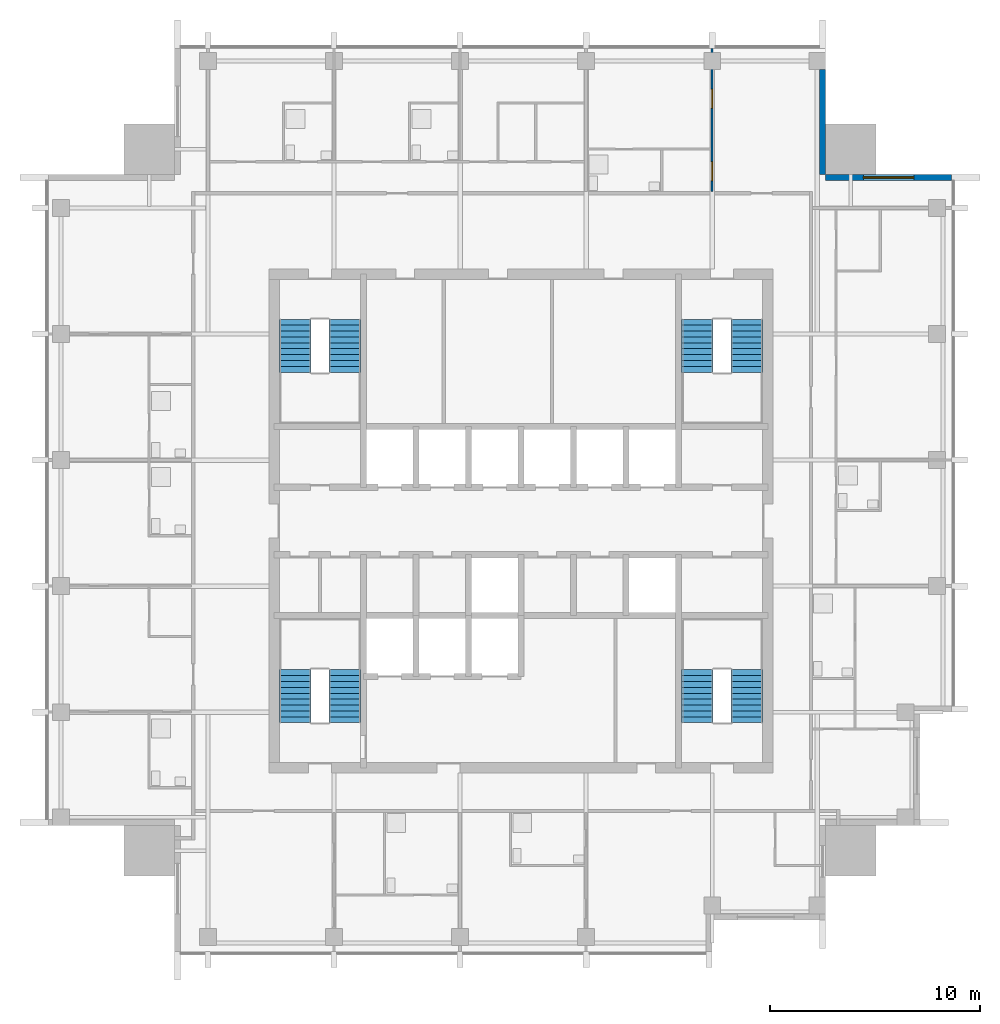
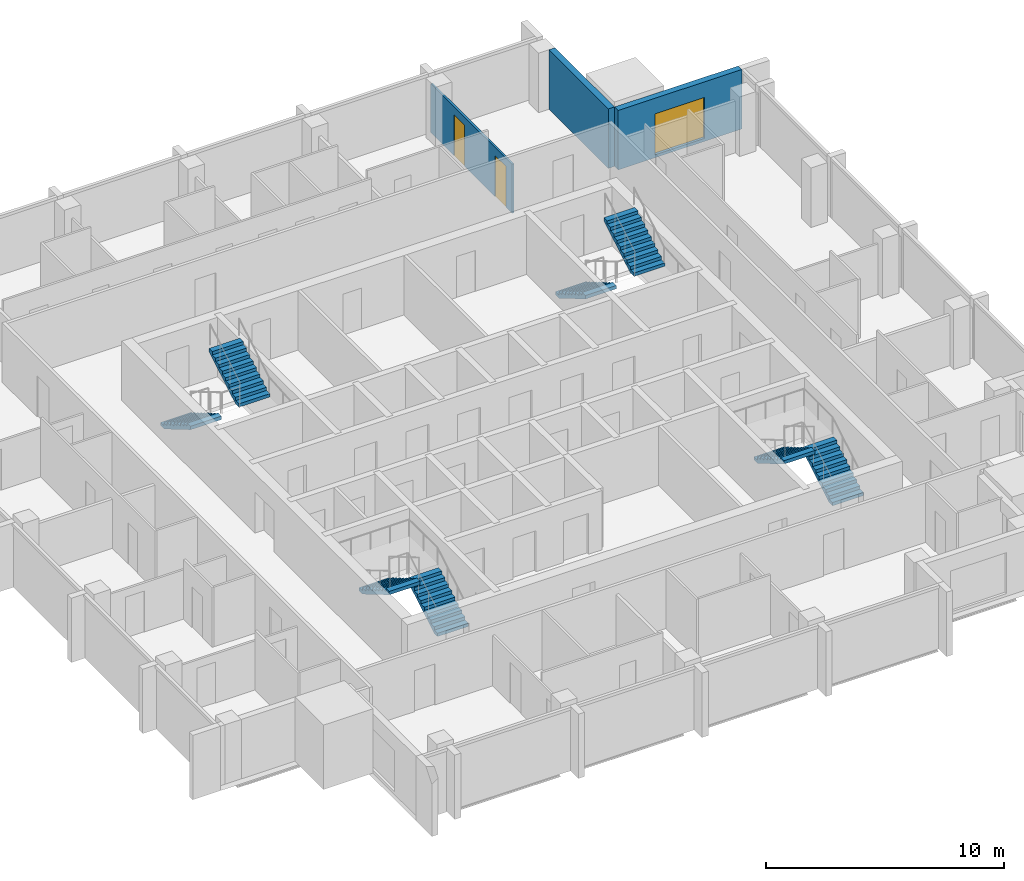
# One storey, part 7 of 9: 8 stair flights, 3 walls, 2 doors, 1 window, 3 openings, 4 elements without a shape of their own.
"""IFC4 building model written with IfcOpenShell, lengths in metres."""

from ifc_helpers import new_model, si_unit, direction, frame, frame_2d, origin, place, context, subcontext, project, spatial, polyline, rectangle, outline, extrude, material, layer, layer_set, type_object, element, fill, aggregate, save


model = new_model("IFC4")

# Units and contexts
model_context = context("Model", 3, precision=1e-05, world=origin(), true_north=direction((0.0, 1.0)))
body_context = subcontext(model_context, "Body", "Model", "MODEL_VIEW")
ifc_project = project(units=[si_unit("LENGTHUNIT", "METRE"), si_unit("AREAUNIT", "SQUARE_METRE"), si_unit("VOLUMEUNIT", "CUBIC_METRE"), si_unit("PLANEANGLEUNIT", "RADIAN"), si_unit("MASSUNIT", "GRAM", prefix="KILO")], contexts=[model_context])

# Site, building, storey
site_placement = place(None, origin())
site = spatial("IfcSite", under=ifc_project, at=site_placement, CompositionType="ELEMENT")
building_placement = place(site_placement, origin())
building = spatial("IfcBuilding", under=site, at=building_placement, Name="Amberfall Residences", CompositionType="ELEMENT")
storey_placement = place(building_placement, frame((0.0, 0.0, 252.10009765625)))
storey = spatial("IfcBuildingStorey", under=building, at=storey_placement, Name="L67", CompositionType="ELEMENT", Elevation=252.10009765625)

# Wall, opening, window
ifc_material_1 = material(Name="Pale stone cladding on insulated backing", Category="masonry")
ifc_layer_1 = layer(ifc_material_1, 0.300048828125)
ifc_layer_set_1 = layer_set([ifc_layer_1], Name="Bronze clad wall 300")
wall_type_1 = type_object("IfcWallType", Name="Bronze clad wall 300", PredefinedType="SOLIDWALL", material=ifc_layer_set_1)
wall_1_placement = place(storey_placement, frame((95.0, 61.85009765625, 0.0), z_axis=(0.0, 0.0, 1.0), x_axis=(-1.0, 0.0, 0.0)))
wall_1 = element("IfcWall", 1, at=wall_1_placement, inside=storey, type_object=wall_type_1, Name="External wall L67 NE", PredefinedType="SOLIDWALL", context=body_context, shape_type="SweptSolid", body=[
    extrude(rectangle(XDim=6.0, YDim=0.300048828125, at=frame_2d((3.0, 0.0))), origin(), (0.0, 0.0, 1.0), 3.0498046875),
])
opening_1_placement = place(wall_1_placement, frame((1.800048828125, 0.0, 0.14990234375)))
opening_1 = element("IfcOpeningElement", 2, at=opening_1_placement, cuts=wall_1, Name="Opening WN5", PredefinedType="OPENING", context=body_context, shape_type="SweptSolid", body=[
    extrude(rectangle(XDim=2.39990234375, YDim=2.10009765625, at=frame_2d((1.199951171875, 1.050048828125))), frame((0.0, 0.159912109375, 0.0), z_axis=(0.0, -1.0, 0.0), x_axis=(1.0, 0.0, 0.0)), (0.0, 0.0, 1.0), 0.320068359375),
])
ifc_material_2 = material(Name="Bronze aluminium framed glazing", Category="aluminium")
window_type = type_object("IfcWindowType", Name="Glazed opening 2400 x 2100 bronze", PartitioningType="DOUBLE_PANEL_VERTICAL", PredefinedType="WINDOW", material=ifc_material_2)
window_placement = place(opening_1_placement, origin())
window = element("IfcWindow", 3, at=window_placement, inside=storey, type_object=window_type, Name="Window L67 NE", OverallHeight=2.10009765625, OverallWidth=2.39990234375, PartitioningType="DOUBLE_PANEL_VERTICAL", PredefinedType="WINDOW", context=body_context, shape_type="SweptSolid", body=[
    extrude(rectangle(XDim=2.39990234375, YDim=2.10009765625, at=frame_2d((1.199951171875, 1.050048828125))), frame((0.0, 0.030029296875, 0.0), z_axis=(0.0, -1.0, 0.0), x_axis=(1.0, 0.0, 0.0)), (0.0, 0.0, 1.0), 0.06005859375),
])
fill(opening_1, window)

# Wall
wall_2_placement = place(storey_placement, frame((88.85009765625, 62.0, 0.0), z_axis=(0.0, 0.0, 1.0), x_axis=(0.0, 1.0, 0.0)))
element("IfcWall", 4, at=wall_2_placement, inside=storey, type_object=wall_type_1, Name="External wall L67 NE", PredefinedType="SOLIDWALL", context=body_context, shape_type="SweptSolid", body=[
    extrude(rectangle(XDim=5.0, YDim=0.300048828125, at=frame_2d((2.5, 0.0))), origin(), (0.0, 0.0, 1.0), 3.0498046875),
])

# Wall, openings, doors
ifc_material_3 = material(Name="Gypsum board on metal stud")
ifc_layer_2 = layer(ifc_material_3, 0.10009765625)
ifc_layer_set_2 = layer_set([ifc_layer_2], Name="Flat partition 100")
wall_type_2 = type_object("IfcWallType", Name="Flat partition 100", PredefinedType="PARTITIONING", material=ifc_layer_set_2)
wall_3_placement = place(storey_placement, frame((83.60009765625, 61.175048828125, 0.0), z_axis=(0.0, 0.0, 1.0), x_axis=(0.0, 1.0, 0.0)))
wall_3 = element("IfcWall", 5, at=wall_3_placement, inside=storey, type_object=wall_type_2, Name="Partition 015", PredefinedType="PARTITIONING", context=body_context, shape_type="SweptSolid", body=[
    extrude(rectangle(XDim=6.824951171875, YDim=0.10009765625, at=frame_2d((3.41259765625, 0.0))), origin(), (0.0, 0.0, 1.0), 2.515869140625),
])
opening_2_placement = place(wall_3_placement, frame((0.52490234375, 0.0, 0.0)))
opening_2 = element("IfcOpeningElement", 6, at=opening_2_placement, cuts=wall_3, Name="Opening D41", PredefinedType="OPENING", context=body_context, shape_type="SweptSolid", body=[
    extrude(rectangle(XDim=0.89990234375, YDim=2.10009765625, at=frame_2d((0.449951171875, 1.050048828125))), frame((0.0, 0.06005859375, 0.0), z_axis=(0.0, -1.0, 0.0), x_axis=(1.0, 0.0, 0.0)), (0.0, 0.0, 1.0), 0.1201171875),
])
opening_3_placement = place(wall_3_placement, frame((3.97509765625, 0.0, 0.0)))
opening_3 = element("IfcOpeningElement", 7, at=opening_3_placement, cuts=wall_3, Name="Opening D41", PredefinedType="OPENING", context=body_context, shape_type="SweptSolid", body=[
    extrude(rectangle(XDim=0.89990234375, YDim=2.10009765625, at=frame_2d((0.449951171875, 1.050048828125))), frame((0.0, 0.06005859375, 0.0), z_axis=(0.0, -1.0, 0.0), x_axis=(1.0, 0.0, 0.0)), (0.0, 0.0, 1.0), 0.1201171875),
])
ifc_material_4 = material(Name="Timber", Category="wood")
door_type = type_object("IfcDoorType", Name="Internal door 900 x 2100", OperationType="SINGLE_SWING_LEFT", PredefinedType="DOOR", material=ifc_material_4)
door_1_placement = place(opening_2_placement, origin())
door_1 = element("IfcDoor", 8, at=door_1_placement, inside=storey, type_object=door_type, Name="Door 6706 kitchen", OperationType="SINGLE_SWING_LEFT", OverallHeight=2.10009765625, OverallWidth=0.89990234375, PredefinedType="DOOR", context=body_context, shape_type="SweptSolid", body=[
    extrude(rectangle(XDim=0.89990234375, YDim=2.10009765625, at=frame_2d((0.449951171875, 1.050048828125))), frame((0.0, 0.02490234375, 0.0), z_axis=(0.0, -1.0, 0.0), x_axis=(1.0, 0.0, 0.0)), (0.0, 0.0, 1.0), 0.050048828125),
])
fill(opening_2, door_1)
door_2_placement = place(opening_3_placement, origin())
door_2 = element("IfcDoor", 9, at=door_2_placement, inside=storey, type_object=door_type, Name="Door 6706 bedroom1", OperationType="SINGLE_SWING_LEFT", OverallHeight=2.10009765625, OverallWidth=0.89990234375, PredefinedType="DOOR", context=body_context, shape_type="SweptSolid", body=[
    extrude(rectangle(XDim=0.89990234375, YDim=2.10009765625, at=frame_2d((0.449951171875, 1.050048828125))), frame((0.0, 0.02490234375, 0.0), z_axis=(0.0, -1.0, 0.0), x_axis=(1.0, 0.0, 0.0)), (0.0, 0.0, 1.0), 0.050048828125),
])
fill(opening_3, door_2)

# Stair, stair flights
ifc_material_5 = material(Name="Concrete C40", Category="concrete")
stair_type = type_object("IfcStairType", Name="Exit stair 20 risers 165.0 mm", PredefinedType="HALF_TURN_STAIR", material=ifc_material_5)
stair_1_placement = place(storey_placement, origin())
stair_1 = element("IfcStair", 10, at=stair_1_placement, inside=storey, type_object=stair_type, Name="L67 Exit stair 1", PredefinedType="HALF_TURN_STAIR")
stair_flight_type = type_object("IfcStairFlightType", Name="Stair flight 10 risers 165.0 mm", PredefinedType="STRAIGHT", material=ifc_material_5)
stair_flight_1_placement = place(storey_placement, frame((66.10009765625, 35.89990234375, 0.0), z_axis=(0.0, 0.0, 1.0), x_axis=(0.0, 1.0, 0.0)))
stair_flight_1 = element("IfcStairFlight", 11, at=stair_flight_1_placement, type_object=stair_flight_type, Name="ST3 flight 1", NumberOfRisers=10, NumberOfTreads=9, PredefinedType="STRAIGHT", RiserHeight=0.165, TreadLength=0.28, context=body_context, shape_type="SweptSolid", body=[
    extrude(outline(polyline([(0.0, 0.0), (0.0, 0.1650390625), (0.280029296875, 0.1650390625), (0.280029296875, 0.330078125), (0.56005859375, 0.330078125), (0.56005859375, 0.4951171875), (0.840087890625, 0.4951171875), (0.840087890625, 0.659912109375), (1.1201171875, 0.659912109375), (1.1201171875, 0.824951171875), (1.39990234375, 0.824951171875), (1.39990234375, 0.989990234375), (1.679931640625, 0.989990234375), (1.679931640625, 1.155029296875), (1.9599609375, 1.155029296875), (1.9599609375, 1.320068359375), (2.239990234375, 1.320068359375), (2.239990234375, 1.485107421875), (2.52001953125, 1.485107421875), (2.52001953125, 1.64990234375), (2.52001953125, 1.31103515625), (0.295166015625, 0.0), (0.0, 0.0)])), frame((0.0, 0.75, 0.0), z_axis=(0.0, -1.0, 0.0), x_axis=(1.0, 0.0, 0.0)), (0.0, 0.0, 1.0), 1.5),
])
stair_flight_2_placement = place(storey_placement, frame((63.75, 38.419921875, 1.64990234375), z_axis=(0.0, 0.0, 1.0), x_axis=(0.0, -1.0, 0.0)))
stair_flight_2 = element("IfcStairFlight", 12, at=stair_flight_2_placement, type_object=stair_flight_type, Name="ST3 flight 2", NumberOfRisers=10, NumberOfTreads=9, PredefinedType="STRAIGHT", RiserHeight=0.165, TreadLength=0.28, context=body_context, shape_type="SweptSolid", body=[
    extrude(outline(polyline([(0.0, 0.0), (0.0, 0.1650390625), (0.280029296875, 0.1650390625), (0.280029296875, 0.330078125), (0.56005859375, 0.330078125), (0.56005859375, 0.4951171875), (0.840087890625, 0.4951171875), (0.840087890625, 0.659912109375), (1.1201171875, 0.659912109375), (1.1201171875, 0.824951171875), (1.39990234375, 0.824951171875), (1.39990234375, 0.989990234375), (1.679931640625, 0.989990234375), (1.679931640625, 1.155029296875), (1.9599609375, 1.155029296875), (1.9599609375, 1.320068359375), (2.239990234375, 1.320068359375), (2.239990234375, 1.485107421875), (2.52001953125, 1.485107421875), (2.52001953125, 1.64990234375), (2.52001953125, 1.31103515625), (0.295166015625, 0.0), (0.0, 0.0)])), frame((0.0, 0.75, 0.0), z_axis=(0.0, -1.0, 0.0), x_axis=(1.0, 0.0, 0.0)), (0.0, 0.0, 1.0), 1.5),
])
aggregate(stair_1, [stair_flight_1, stair_flight_2])

stair_2_placement = place(storey_placement, origin())
stair_2 = element("IfcStair", 13, at=stair_2_placement, inside=storey, type_object=stair_type, Name="L67 Exit stair 2", PredefinedType="HALF_TURN_STAIR")
stair_flight_3_placement = place(storey_placement, frame((85.25, 35.89990234375, 0.0), z_axis=(0.0, 0.0, 1.0), x_axis=(0.0, 1.0, 0.0)))
stair_flight_3 = element("IfcStairFlight", 14, at=stair_flight_3_placement, type_object=stair_flight_type, Name="ST3 flight 1", NumberOfRisers=10, NumberOfTreads=9, PredefinedType="STRAIGHT", RiserHeight=0.165, TreadLength=0.28, context=body_context, shape_type="SweptSolid", body=[
    extrude(outline(polyline([(0.0, 0.0), (0.0, 0.1650390625), (0.280029296875, 0.1650390625), (0.280029296875, 0.330078125), (0.56005859375, 0.330078125), (0.56005859375, 0.4951171875), (0.840087890625, 0.4951171875), (0.840087890625, 0.659912109375), (1.1201171875, 0.659912109375), (1.1201171875, 0.824951171875), (1.39990234375, 0.824951171875), (1.39990234375, 0.989990234375), (1.679931640625, 0.989990234375), (1.679931640625, 1.155029296875), (1.9599609375, 1.155029296875), (1.9599609375, 1.320068359375), (2.239990234375, 1.320068359375), (2.239990234375, 1.485107421875), (2.52001953125, 1.485107421875), (2.52001953125, 1.64990234375), (2.52001953125, 1.31103515625), (0.295166015625, 0.0), (0.0, 0.0)])), frame((0.0, 0.75, 0.0), z_axis=(0.0, -1.0, 0.0), x_axis=(1.0, 0.0, 0.0)), (0.0, 0.0, 1.0), 1.5),
])
stair_flight_4_placement = place(storey_placement, frame((82.89990234375, 38.419921875, 1.64990234375), z_axis=(0.0, 0.0, 1.0), x_axis=(0.0, -1.0, 0.0)))
stair_flight_4 = element("IfcStairFlight", 15, at=stair_flight_4_placement, type_object=stair_flight_type, Name="ST3 flight 2", NumberOfRisers=10, NumberOfTreads=9, PredefinedType="STRAIGHT", RiserHeight=0.165, TreadLength=0.28, context=body_context, shape_type="SweptSolid", body=[
    extrude(outline(polyline([(0.0, 0.0), (0.0, 0.1650390625), (0.280029296875, 0.1650390625), (0.280029296875, 0.330078125), (0.56005859375, 0.330078125), (0.56005859375, 0.4951171875), (0.840087890625, 0.4951171875), (0.840087890625, 0.659912109375), (1.1201171875, 0.659912109375), (1.1201171875, 0.824951171875), (1.39990234375, 0.824951171875), (1.39990234375, 0.989990234375), (1.679931640625, 0.989990234375), (1.679931640625, 1.155029296875), (1.9599609375, 1.155029296875), (1.9599609375, 1.320068359375), (2.239990234375, 1.320068359375), (2.239990234375, 1.485107421875), (2.52001953125, 1.485107421875), (2.52001953125, 1.64990234375), (2.52001953125, 1.31103515625), (0.295166015625, 0.0), (0.0, 0.0)])), frame((0.0, 0.75, 0.0), z_axis=(0.0, -1.0, 0.0), x_axis=(1.0, 0.0, 0.0)), (0.0, 0.0, 1.0), 1.5),
])
aggregate(stair_2, [stair_flight_3, stair_flight_4])

stair_3_placement = place(storey_placement, origin())
stair_3 = element("IfcStair", 16, at=stair_3_placement, inside=storey, type_object=stair_type, Name="L67 Exit stair 3", PredefinedType="HALF_TURN_STAIR")
stair_flight_5_placement = place(storey_placement, frame((82.89990234375, 55.10009765625, 0.0), z_axis=(0.0, 0.0, 1.0), x_axis=(0.0, -1.0, 0.0)))
stair_flight_5 = element("IfcStairFlight", 17, at=stair_flight_5_placement, type_object=stair_flight_type, Name="ST3 flight 1", NumberOfRisers=10, NumberOfTreads=9, PredefinedType="STRAIGHT", RiserHeight=0.165, TreadLength=0.28, context=body_context, shape_type="SweptSolid", body=[
    extrude(outline(polyline([(0.0, 0.0), (0.0, 0.1650390625), (0.280029296875, 0.1650390625), (0.280029296875, 0.330078125), (0.56005859375, 0.330078125), (0.56005859375, 0.4951171875), (0.840087890625, 0.4951171875), (0.840087890625, 0.659912109375), (1.1201171875, 0.659912109375), (1.1201171875, 0.824951171875), (1.39990234375, 0.824951171875), (1.39990234375, 0.989990234375), (1.679931640625, 0.989990234375), (1.679931640625, 1.155029296875), (1.9599609375, 1.155029296875), (1.9599609375, 1.320068359375), (2.239990234375, 1.320068359375), (2.239990234375, 1.485107421875), (2.52001953125, 1.485107421875), (2.52001953125, 1.64990234375), (2.52001953125, 1.31103515625), (0.295166015625, 0.0), (0.0, 0.0)])), frame((0.0, 0.75, 0.0), z_axis=(0.0, -1.0, 0.0), x_axis=(1.0, 0.0, 0.0)), (0.0, 0.0, 1.0), 1.5),
])
stair_flight_6_placement = place(storey_placement, frame((85.25, 52.580078125, 1.64990234375), z_axis=(0.0, 0.0, 1.0), x_axis=(0.0, 1.0, 0.0)))
stair_flight_6 = element("IfcStairFlight", 18, at=stair_flight_6_placement, type_object=stair_flight_type, Name="ST3 flight 2", NumberOfRisers=10, NumberOfTreads=9, PredefinedType="STRAIGHT", RiserHeight=0.165, TreadLength=0.28, context=body_context, shape_type="SweptSolid", body=[
    extrude(outline(polyline([(0.0, 0.0), (0.0, 0.1650390625), (0.280029296875, 0.1650390625), (0.280029296875, 0.330078125), (0.56005859375, 0.330078125), (0.56005859375, 0.4951171875), (0.840087890625, 0.4951171875), (0.840087890625, 0.659912109375), (1.1201171875, 0.659912109375), (1.1201171875, 0.824951171875), (1.39990234375, 0.824951171875), (1.39990234375, 0.989990234375), (1.679931640625, 0.989990234375), (1.679931640625, 1.155029296875), (1.9599609375, 1.155029296875), (1.9599609375, 1.320068359375), (2.239990234375, 1.320068359375), (2.239990234375, 1.485107421875), (2.52001953125, 1.485107421875), (2.52001953125, 1.64990234375), (2.52001953125, 1.31103515625), (0.295166015625, 0.0), (0.0, 0.0)])), frame((0.0, 0.75, 0.0), z_axis=(0.0, -1.0, 0.0), x_axis=(1.0, 0.0, 0.0)), (0.0, 0.0, 1.0), 1.5),
])
aggregate(stair_3, [stair_flight_5, stair_flight_6])

stair_4_placement = place(storey_placement, origin())
stair_4 = element("IfcStair", 19, at=stair_4_placement, inside=storey, type_object=stair_type, Name="L67 Exit stair 4", PredefinedType="HALF_TURN_STAIR")
stair_flight_7_placement = place(storey_placement, frame((63.75, 55.10009765625, 0.0), z_axis=(0.0, 0.0, 1.0), x_axis=(0.0, -1.0, 0.0)))
stair_flight_7 = element("IfcStairFlight", 20, at=stair_flight_7_placement, type_object=stair_flight_type, Name="ST3 flight 1", NumberOfRisers=10, NumberOfTreads=9, PredefinedType="STRAIGHT", RiserHeight=0.165, TreadLength=0.28, context=body_context, shape_type="SweptSolid", body=[
    extrude(outline(polyline([(0.0, 0.0), (0.0, 0.1650390625), (0.280029296875, 0.1650390625), (0.280029296875, 0.330078125), (0.56005859375, 0.330078125), (0.56005859375, 0.4951171875), (0.840087890625, 0.4951171875), (0.840087890625, 0.659912109375), (1.1201171875, 0.659912109375), (1.1201171875, 0.824951171875), (1.39990234375, 0.824951171875), (1.39990234375, 0.989990234375), (1.679931640625, 0.989990234375), (1.679931640625, 1.155029296875), (1.9599609375, 1.155029296875), (1.9599609375, 1.320068359375), (2.239990234375, 1.320068359375), (2.239990234375, 1.485107421875), (2.52001953125, 1.485107421875), (2.52001953125, 1.64990234375), (2.52001953125, 1.31103515625), (0.295166015625, 0.0), (0.0, 0.0)])), frame((0.0, 0.75, 0.0), z_axis=(0.0, -1.0, 0.0), x_axis=(1.0, 0.0, 0.0)), (0.0, 0.0, 1.0), 1.5),
])
stair_flight_8_placement = place(storey_placement, frame((66.10009765625, 52.580078125, 1.64990234375), z_axis=(0.0, 0.0, 1.0), x_axis=(0.0, 1.0, 0.0)))
stair_flight_8 = element("IfcStairFlight", 21, at=stair_flight_8_placement, type_object=stair_flight_type, Name="ST3 flight 2", NumberOfRisers=10, NumberOfTreads=9, PredefinedType="STRAIGHT", RiserHeight=0.165, TreadLength=0.28, context=body_context, shape_type="SweptSolid", body=[
    extrude(outline(polyline([(0.0, 0.0), (0.0, 0.1650390625), (0.280029296875, 0.1650390625), (0.280029296875, 0.330078125), (0.56005859375, 0.330078125), (0.56005859375, 0.4951171875), (0.840087890625, 0.4951171875), (0.840087890625, 0.659912109375), (1.1201171875, 0.659912109375), (1.1201171875, 0.824951171875), (1.39990234375, 0.824951171875), (1.39990234375, 0.989990234375), (1.679931640625, 0.989990234375), (1.679931640625, 1.155029296875), (1.9599609375, 1.155029296875), (1.9599609375, 1.320068359375), (2.239990234375, 1.320068359375), (2.239990234375, 1.485107421875), (2.52001953125, 1.485107421875), (2.52001953125, 1.64990234375), (2.52001953125, 1.31103515625), (0.295166015625, 0.0), (0.0, 0.0)])), frame((0.0, 0.75, 0.0), z_axis=(0.0, -1.0, 0.0), x_axis=(1.0, 0.0, 0.0)), (0.0, 0.0, 1.0), 1.5),
])
aggregate(stair_4, [stair_flight_7, stair_flight_8])

save(model, "model.ifc")
